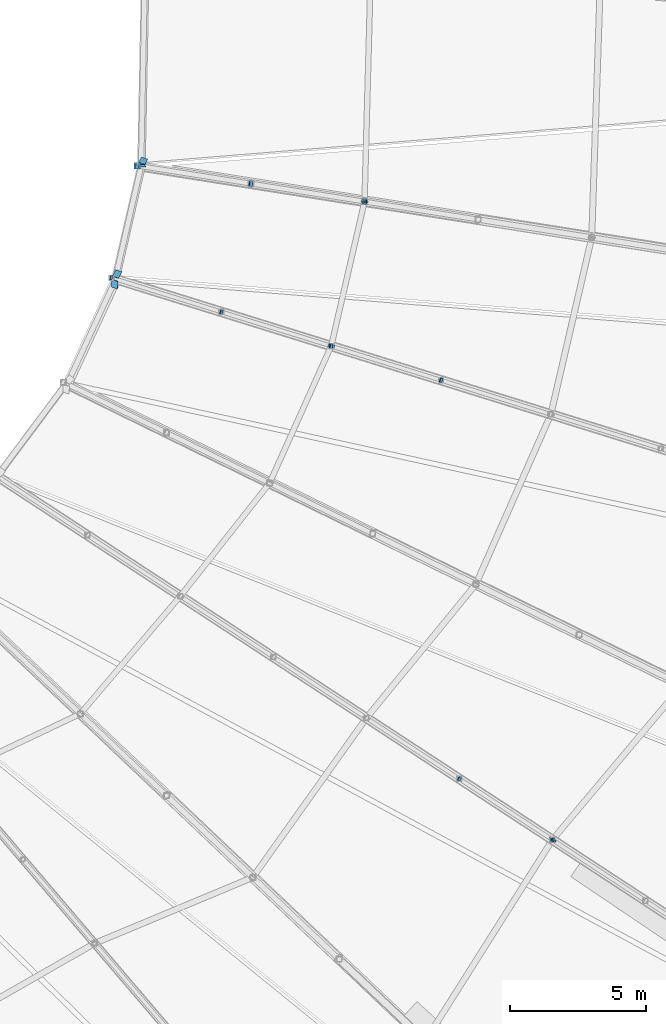
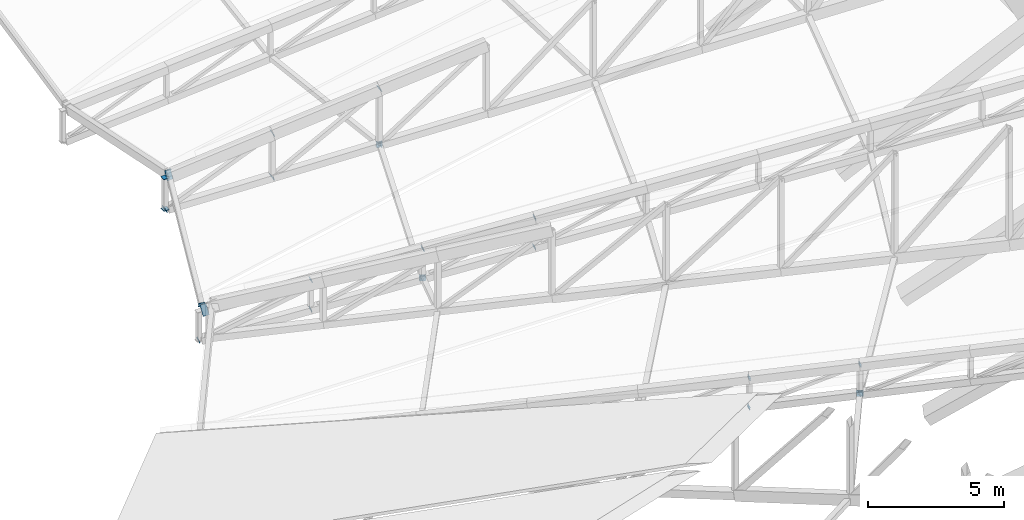
# One storey, part 299 of 344: 28 discrete accessories.
"""IFC4 building model written with IfcOpenShell, lengths in metres."""

import ifcopenshell
import ifcopenshell.guid

model = None  # the IFC model being written
_history = None  # IfcOwnerHistory: only IFC2X3 demands one
_inside = {}  # id of a spatial element -> (the spatial element, [elements in it])
_under = {}  # id of a project, library or spatial element -> (it, [spatial elements below it])
_declared = {}  # id of a project -> (the project, [libraries it declares])
_typed = {}  # id of a type object -> (the type object, [elements of that type])
_made_of = {}  # id of a material, layer set ... -> (it, [elements and type objects made of it])


def new_model(schema):
    """Start an empty IFC model of exactly this schema.

    Asked for "IFC4X3", IfcOpenShell would pick the latest addendum, in which some entities
    have other attributes; the version numbers below select the first issue.
    IFC2X3 requires an IfcOwnerHistory on every rooted entity: one is made here for all.
    """
    global model, _history
    if schema == "IFC4X3":
        model = ifcopenshell.file(schema_version=(4, 3, 0, 0))
    else:
        model = ifcopenshell.file(schema=schema)
    _inside.clear()
    _under.clear()
    _declared.clear()
    _typed.clear()
    _made_of.clear()
    _history = None
    if model.schema == "IFC2X3":
        org = make("IfcOrganization", Name="unknown")
        user = make(
            "IfcPersonAndOrganization",
            ThePerson=make("IfcPerson", FamilyName="unknown"),
            TheOrganization=org,
        )
        app = make(
            "IfcApplication",
            ApplicationDeveloper=org,
            Version="unknown",
            ApplicationFullName="unknown",
            ApplicationIdentifier="unknown",
        )
        _history = make(
            "IfcOwnerHistory",
            OwningUser=user,
            OwningApplication=app,
            ChangeAction="ADDED",
            CreationDate=0,
        )
    return model


def make(cls, **values):
    """One entity of the class cls with the attributes given. An attribute that is None is left unset."""
    return model.create_entity(
        cls, **{name: value for name, value in values.items() if value is not None}
    )


def rooted(cls, **values):
    """An entity with a GlobalId (a new one), such as an element, a storey or a relation."""
    return make(cls, GlobalId=ifcopenshell.guid.new(), OwnerHistory=_history, **values)


def si_unit(unit_type, name, prefix=None):
    """IfcSIUnit, for example si_unit("LENGTHUNIT", "METRE", prefix="MILLI")."""
    return make("IfcSIUnit", UnitType=unit_type, Prefix=prefix, Name=name)


def assignment(units):
    """IfcUnitAssignment: the units of a project."""
    return None if units is None else make("IfcUnitAssignment", Units=units)


def point(xyz):
    """IfcCartesianPoint."""
    return None if xyz is None else make("IfcCartesianPoint", Coordinates=xyz)


def direction(xyz):
    """IfcDirection."""
    return None if xyz is None else make("IfcDirection", DirectionRatios=xyz)


def frame(location, z_axis=None, x_axis=None):
    """IfcAxis2Placement3D, a coordinate frame: its origin and axes. An axis left out is left unset."""
    return make(
        "IfcAxis2Placement3D",
        Location=point(location),
        Axis=direction(z_axis),
        RefDirection=direction(x_axis),
    )


def frame_2d(location, x_axis=None):
    """IfcAxis2Placement2D, a coordinate frame in the plane: its origin and x axis."""
    return make(
        "IfcAxis2Placement2D", Location=point(location), RefDirection=direction(x_axis)
    )


def origin():
    """The frame at (0, 0, 0) with its axes left unset."""
    return frame((0.0, 0.0, 0.0))


def origin_2d():
    """The frame at (0, 0) in the plane with its x axis left unset."""
    return frame_2d((0.0, 0.0))


def place(relative_to, where):
    """IfcLocalPlacement: puts the frame where relative to a parent placement (None: the world)."""
    return make(
        "IfcLocalPlacement", PlacementRelTo=relative_to, RelativePlacement=where
    )


def context(
    kind, dimensions, precision=None, world=None, true_north=None, identifier=None
):
    """IfcGeometricRepresentationContext, for example the 3D "Model" context."""
    return make(
        "IfcGeometricRepresentationContext",
        ContextIdentifier=identifier,
        ContextType=kind,
        CoordinateSpaceDimension=dimensions,
        Precision=precision,
        WorldCoordinateSystem=world,
        TrueNorth=true_north,
    )


def subcontext(parent, identifier, kind, view, scale=None):
    """IfcGeometricRepresentationSubContext, for example "Body" below "Model"."""
    return make(
        "IfcGeometricRepresentationSubContext",
        ContextIdentifier=identifier,
        ContextType=kind,
        ParentContext=parent,
        TargetScale=scale,
        TargetView=view,
    )


def project(units=None, contexts=None):
    """IfcProject with its units and contexts."""
    return rooted(
        "IfcProject",
        Name="project",
        RepresentationContexts=contexts,
        UnitsInContext=assignment(units),
    )


def spatial(cls, under=None, at=None, **own):
    """A site, building, storey or space (cls), placed at a placement, below another one or the project."""
    s = rooted(cls, ObjectPlacement=at, **own)
    if under is not None:
        _under.setdefault(under.id(), (under, []))[1].append(s)
    return s


def profile(cls, at=None, kind="AREA", **sizes):
    """A parametric profile (cls). Its sizes go by their IFC names, for example OverallWidth=200.0."""
    return make(cls, ProfileType=kind, Position=at, **sizes)


def rectangle(**sizes):
    """IfcRectangleProfileDef."""
    return profile("IfcRectangleProfileDef", **sizes)


def extrude(swept, where, along, depth):
    """IfcExtrudedAreaSolid: the profile swept, set in the frame where, extruded along a direction by depth."""
    return make(
        "IfcExtrudedAreaSolid",
        SweptArea=swept,
        Position=where,
        ExtrudedDirection=direction(along),
        Depth=depth,
    )


def shape(context_of_items, identifier, shape_type, items):
    """IfcShapeRepresentation: the items that make up one representation, for example the "Body"."""
    return make(
        "IfcShapeRepresentation",
        ContextOfItems=context_of_items,
        RepresentationIdentifier=identifier,
        RepresentationType=shape_type,
        Items=items,
    )


def material(Name=None, Category=None):
    """IfcMaterial."""
    return make("IfcMaterial", Name=Name, Category=Category)


def material_profile(
    of_material, cross_section, Name=None, Category=None, Priority=None
):
    """IfcMaterialProfile: a cross section and its material."""
    return make(
        "IfcMaterialProfile",
        Name=Name,
        Material=of_material,
        Profile=cross_section,
        Priority=Priority,
        Category=Category,
    )


def profile_set(profiles, Name=None, composite=None):
    """IfcMaterialProfileSet."""
    return make(
        "IfcMaterialProfileSet",
        Name=Name,
        MaterialProfiles=profiles,
        CompositeProfile=composite,
    )


def made_of(thing, what):
    """Note that an element or type object is made of a material, layer set ...; save() writes the relation."""
    if what is not None:
        _made_of.setdefault(what.id(), (what, []))[1].append(thing)
    return thing


def type_object(cls, material=None, **own):
    """A type object (cls), such as IfcWallType, which elements share."""
    return made_of(rooted(cls, **own), material)


def element(
    cls,
    number,
    at=None,
    inside=None,
    cuts=None,
    type_object=None,
    material=None,
    context=None,
    identifier="Body",
    shape_type=None,
    held_by="IfcProductDefinitionShape",
    body=None,
    shapes=None,
    **own,
):
    """One element of the class cls, such as IfcWall. Its Tag is "e" and its number.

    at: its placement. inside: the storey or other place that contains it. cuts: it is an
    opening in that element (IfcRelVoidsElement). A single representation is given by context,
    identifier, shape_type and body (its items); several are given by shapes. held_by: the class
    of the entity that holds the representations. save() writes the other relations.
    """
    e = rooted(cls, Tag="e%d" % number, ObjectPlacement=at, **own)
    if body is not None:
        shapes = [shape(context, identifier, shape_type, body)]
    if shapes is not None:
        e.Representation = make(held_by, Representations=shapes)
    if inside is not None:
        _inside.setdefault(inside.id(), (inside, []))[1].append(e)
    if cuts is not None:
        rooted(
            "IfcRelVoidsElement", RelatingBuildingElement=cuts, RelatedOpeningElement=e
        )
    if type_object is not None:
        _typed.setdefault(type_object.id(), (type_object, []))[1].append(e)
    return made_of(e, material)


def aggregate(whole, parts):
    """IfcRelAggregates: a whole, such as a stair, and the parts it consists of."""
    return rooted("IfcRelAggregates", RelatingObject=whole, RelatedObjects=parts)


def save(model, path):
    """Write the relations noted so far, then the file.

    IfcRelAggregates (storeys below a building ...), IfcRelContainedInSpatialStructure (elements
    in a storey), IfcRelDefinesByType, IfcRelAssociatesMaterial and IfcRelDeclares: one each for
    every whole, place, type object, material and project.
    """
    for whole, parts in _under.values():
        aggregate(whole, parts)
    for where, things in _inside.values():
        rooted(
            "IfcRelContainedInSpatialStructure",
            RelatedElements=things,
            RelatingStructure=where,
        )
    for kind, things in _typed.values():
        rooted("IfcRelDefinesByType", RelatedObjects=things, RelatingType=kind)
    for what, things in _made_of.values():
        rooted("IfcRelAssociatesMaterial", RelatedObjects=things, RelatingMaterial=what)
    for by, libraries in _declared.values():
        rooted("IfcRelDeclares", RelatingContext=by, RelatedDefinitions=libraries)
    model.write(path)


model = new_model("IFC4")

# Units and contexts
model_context = context("Model", 3, precision=1e-05, world=origin(), true_north=direction((0.0, 1.0)))
body_context = subcontext(model_context, "Body", "Model", "MODEL_VIEW")
ifc_project = project(units=[si_unit("LENGTHUNIT", "METRE"), si_unit("AREAUNIT", "SQUARE_METRE"), si_unit("VOLUMEUNIT", "CUBIC_METRE"), si_unit("PLANEANGLEUNIT", "RADIAN"), si_unit("MASSUNIT", "GRAM", prefix="KILO")], contexts=[model_context])

# Site, building, storey
site_placement = place(None, origin())
site = spatial("IfcSite", under=ifc_project, at=site_placement, CompositionType="ELEMENT")
building_placement = place(site_placement, origin())
building = spatial("IfcBuilding", under=site, at=building_placement, Name="Meseta Stadium", CompositionType="ELEMENT")
storey_placement = place(building_placement, frame((0.0, 0.0, 24.0)))
storey = spatial("IfcBuildingStorey", under=building, at=storey_placement, Name="L04", CompositionType="ELEMENT", Elevation=24.0)

# Discrete accessories
ifc_material_1 = material(Name="Steel S355", Category="steel")
ifc_material_profile_1 = material_profile(ifc_material_1, rectangle(XDim=0.179931640625, YDim=0.179931640625, at=origin_2d()), Name="PL 180x180")
ifc_profile_set_1 = profile_set([ifc_material_profile_1], Name="Steel S355")
discrete_accessory_type_1 = type_object("IfcDiscreteAccessoryType", Name="End plate 180x180x20", PredefinedType="ANCHORPLATE", material=ifc_profile_set_1)
for number, where, z_axis, x_axis, name in (
    (1, (58.653076171875, -70.1455078125, 4.7646484375), (0.745790378384, -0.489042871072, 0.452364655741), (0.54835696222, 0.836244367386, 0.0), "End plate of ROOF TRUSS RT-53 diagonal"),
    (2, (58.63818359375, -70.1357421875, 3.45556640625), (0.745790378384, -0.489042871072, 0.452364655741), (0.54835696222, 0.836244367386, 0.0), "End plate of ROOF TRUSS RT-53 diagonal"),
    (3, (62.06787109375, -72.3818359375, 5.523681640625), (0.745790378384, -0.489042871072, 0.452364655741), (0.54835696222, 0.836244367386, 0.0), "End plate of ROOF TRUSS RT-53 diagonal"),
):
    element("IfcDiscreteAccessory", number, at=place(storey_placement, frame(where, z_axis=z_axis, x_axis=x_axis)), inside=storey, type_object=discrete_accessory_type_1, Name=name, PredefinedType="ANCHORPLATE", context=body_context, shape_type="SweptSolid", body=[
        extrude(rectangle(XDim=0.179931640625, YDim=0.179931640625, at=origin_2d()), origin(), (0.0, 0.0, 1.0), 0.02001953125),
    ])
discrete_accessory_1_placement = place(storey_placement, frame((62.052978515625, -72.3720703125, 4.21484375), z_axis=(0.749892944856, -0.491733078594, 0.442559770734), x_axis=(0.54835696222, 0.836244367386, 0.0)))
element("IfcDiscreteAccessory", 4, at=discrete_accessory_1_placement, inside=storey, type_object=discrete_accessory_type_1, Name="End plate of ROOF TRUSS RT-53 diagonal", PredefinedType="ANCHORPLATE", context=body_context, shape_type="SweptSolid", body=[
    extrude(rectangle(XDim=0.179931640625, YDim=0.179931640625, at=origin_2d()), origin(), (0.0, 0.0, 1.0), 0.019775390625),
])
discrete_accessory_2_placement = place(storey_placement, frame((45.8662109375, -51.743896484375, -0.230224609375), z_axis=(0.859675052741, -0.266378185356, 0.435891576038), x_axis=(0.295976029358, 0.955195367475, 0.0)))
element("IfcDiscreteAccessory", 5, at=discrete_accessory_2_placement, inside=storey, type_object=discrete_accessory_type_1, Name="End plate of ROOF TRUSS RT-55 diagonal", PredefinedType="ANCHORPLATE", context=body_context, shape_type="SweptSolid", body=[
    extrude(rectangle(XDim=0.179931640625, YDim=0.179931640625, at=origin_2d()), origin(), (0.0, 0.0, 1.0), 0.020263671875),
])
discrete_accessory_3_placement = place(storey_placement, frame((49.915283203125, -53.003173828125, 1.824951171875), z_axis=(0.859235340228, -0.257770602068, 0.441892460688), x_axis=(0.287347885566, 0.957826285221, 0.0)))
element("IfcDiscreteAccessory", 6, at=discrete_accessory_3_placement, inside=storey, type_object=discrete_accessory_type_1, Name="End plate of ROOF TRUSS RT-55 diagonal", PredefinedType="ANCHORPLATE", context=body_context, shape_type="SweptSolid", body=[
    extrude(rectangle(XDim=0.179931640625, YDim=0.179931640625, at=origin_2d()), origin(), (0.0, 0.0, 1.0), 0.019775390625),
])
discrete_accessory_4_placement = place(storey_placement, frame((49.89794921875, -52.997802734375, 0.51611328125), z_axis=(0.859675052741, -0.266378185356, 0.435891576038), x_axis=(0.295976029358, 0.955195367475, 0.0)))
element("IfcDiscreteAccessory", 7, at=discrete_accessory_4_placement, inside=storey, type_object=discrete_accessory_type_1, Name="End plate of ROOF TRUSS RT-55 diagonal", PredefinedType="ANCHORPLATE", context=body_context, shape_type="SweptSolid", body=[
    extrude(rectangle(XDim=0.179931640625, YDim=0.179931640625, at=origin_2d()), origin(), (0.0, 0.0, 1.0), 0.020263671875),
])
discrete_accessory_5_placement = place(storey_placement, frame((53.947021484375, -54.2568359375, 2.5712890625), z_axis=(0.856465372407, -0.269174831328, 0.440467905809), x_axis=(0.29982659674, 0.953993716901, 0.0)))
element("IfcDiscreteAccessory", 8, at=discrete_accessory_5_placement, inside=storey, type_object=discrete_accessory_type_1, Name="End plate of ROOF TRUSS RT-55 diagonal", PredefinedType="ANCHORPLATE", context=body_context, shape_type="SweptSolid", body=[
    extrude(rectangle(XDim=0.179931640625, YDim=0.179931640625, at=origin_2d()), origin(), (0.0, 0.0, 1.0), 0.02001953125),
])
discrete_accessory_6_placement = place(storey_placement, frame((53.9296875, -54.25146484375, 1.262451171875), z_axis=(0.859675052741, -0.266378185356, 0.435891576038), x_axis=(0.295976029358, 0.955195367475, 0.0)))
element("IfcDiscreteAccessory", 9, at=discrete_accessory_6_placement, inside=storey, type_object=discrete_accessory_type_1, Name="End plate of ROOF TRUSS RT-55 diagonal", PredefinedType="ANCHORPLATE", context=body_context, shape_type="SweptSolid", body=[
    extrude(rectangle(XDim=0.179931640625, YDim=0.179931640625, at=origin_2d()), origin(), (0.0, 0.0, 1.0), 0.020263671875),
])
discrete_accessory_7_placement = place(storey_placement, frame((57.978759765625, -55.5107421875, 3.317626953125), z_axis=(0.856465372407, -0.269174831328, 0.440467905809), x_axis=(0.29982659674, 0.953993716901, 0.0)))
element("IfcDiscreteAccessory", 10, at=discrete_accessory_7_placement, inside=storey, type_object=discrete_accessory_type_1, Name="End plate of ROOF TRUSS RT-55 diagonal", PredefinedType="ANCHORPLATE", context=body_context, shape_type="SweptSolid", body=[
    extrude(rectangle(XDim=0.179931640625, YDim=0.179931640625, at=origin_2d()), origin(), (0.0, 0.0, 1.0), 0.02001953125),
])
discrete_accessory_8_placement = place(storey_placement, frame((57.96142578125, -55.50537109375, 2.0087890625), z_axis=(0.859675052741, -0.266378185356, 0.435891576038), x_axis=(0.295976029358, 0.955195367475, 0.0)))
element("IfcDiscreteAccessory", 11, at=discrete_accessory_8_placement, inside=storey, type_object=discrete_accessory_type_1, Name="End plate of ROOF TRUSS RT-55 diagonal", PredefinedType="ANCHORPLATE", context=body_context, shape_type="SweptSolid", body=[
    extrude(rectangle(XDim=0.179931640625, YDim=0.179931640625, at=origin_2d()), origin(), (0.0, 0.0, 1.0), 0.020263671875),
])
ifc_material_2 = material(Name="Steel S355", Category="steel")
ifc_material_profile_2 = material_profile(ifc_material_2, rectangle(XDim=0.219970703125, YDim=0.219970703125, at=origin_2d()), Name="PL 220x220")
ifc_profile_set_2 = profile_set([ifc_material_profile_2], Name="Steel S355")
discrete_accessory_type_2 = type_object("IfcDiscreteAccessoryType", Name="End plate 220x220x20", PredefinedType="ANCHORPLATE", material=ifc_profile_set_2)
for number, where, z_axis, x_axis, name in (
    (12, (46.81201171875, -47.630859375, 2.835693359375), (0.863417338341, -0.133768883405, 0.486432303291), (0.153102994509, 0.988210237284, 0.0), "End plate of ROOF TRUSS RT-00 diagonal"),
    (13, (50.999755859375, -48.292724609375, 5.18310546875), (0.868505590194, -0.134557204114, 0.477066450951), (0.153102994509, 0.988210237284, 0.0), "End plate of ROOF TRUSS RT-00 diagonal"),
    (14, (50.9833984375, -48.2900390625, 3.2236328125), (0.816951681894, -0.134126395535, 0.56089219951), (0.162010149383, 0.986789091699, 0.0), "End plate of ROOF TRUSS RT-00 diagonal"),
    (15, (55.170166015625, -48.95166015625, 6.12060546875), (0.816951681894, -0.134126395535, 0.56089219951), (0.162010149383, 0.986789091699, 0.0), "End plate of ROOF TRUSS RT-00 diagonal"),
    (16, (55.155029296875, -48.94921875, 3.611572265625), (0.760407136498, -0.122646312338, 0.63776082416), (0.159232438825, 0.987241120713, 0.0), "End plate of ROOF TRUSS RT-00 diagonal"),
):
    element("IfcDiscreteAccessory", number, at=place(storey_placement, frame(where, z_axis=z_axis, x_axis=x_axis)), inside=storey, type_object=discrete_accessory_type_2, Name=name, PredefinedType="ANCHORPLATE", context=body_context, shape_type="SweptSolid", body=[
        extrude(rectangle(XDim=0.219970703125, YDim=0.219970703125, at=origin_2d()), origin(), (0.0, 0.0, 1.0), 0.02001953125),
    ])
ifc_material_3 = material(Name="Steel S355", Category="steel")
ifc_material_profile_3 = material_profile(ifc_material_3, rectangle(XDim=0.239990234375, YDim=0.239990234375, at=origin_2d()), Name="PL 240x240")
ifc_profile_set_3 = profile_set([ifc_material_profile_3], Name="Steel S355")
discrete_accessory_type_3 = type_object("IfcDiscreteAccessoryType", Name="End plate 240x240x20", PredefinedType="ANCHORPLATE", material=ifc_profile_set_3)
for number, where, z_axis, x_axis, name in (
    (17, (46.829345703125, -47.633544921875, 2.825439453125), (0.0, 0.0, 1.0), (1.0, 0.0, 0.0), "End plate of ROOF TRUSS RT-00 post"),
    (18, (46.829345703125, -47.633544921875, 4.245361328125), (0.0, 0.0, 1.0), (1.0, 0.0, 0.0), "End plate of ROOF TRUSS RT-00 post"),
    (19, (55.169677734375, -48.971435546875, 3.627197265625), (0.024417494565, 0.98890852989, -0.146504967391), (-0.999695307732, 0.024683834759, 0.0), "End plate of ROOF TRUSS STRUT RT-00/01"),
):
    element("IfcDiscreteAccessory", number, at=place(storey_placement, frame(where, z_axis=z_axis, x_axis=x_axis)), inside=storey, type_object=discrete_accessory_type_3, Name=name, PredefinedType="ANCHORPLATE", context=body_context, shape_type="SweptSolid", body=[
        extrude(rectangle(XDim=0.239990234375, YDim=0.239990234375, at=origin_2d()), origin(), (0.0, 0.0, 1.0), 0.02001953125),
    ])
discrete_accessory_9_placement = place(storey_placement, frame((53.947021484375, -54.2568359375, 1.271240234375), z_axis=(0.368911329906, 0.836199014454, -0.405802462897), x_axis=(-0.914917801573, 0.403640206576, 0.0)))
element("IfcDiscreteAccessory", 20, at=discrete_accessory_9_placement, inside=storey, type_object=discrete_accessory_type_3, Name="End plate of ROOF TRUSS STRUT RT-54/55", PredefinedType="ANCHORPLATE", context=body_context, shape_type="SweptSolid", body=[
    extrude(rectangle(XDim=0.239990234375, YDim=0.239990234375, at=origin_2d()), origin(), (0.0, 0.0, 1.0), 0.019775390625),
])
discrete_accessory_10_placement = place(storey_placement, frame((53.94287109375, -54.27490234375, 1.263427734375), z_axis=(0.206322227095, 0.898108517943, 0.388371251002), x_axis=(-0.974612694662, 0.223897510936, 0.0)))
element("IfcDiscreteAccessory", 21, at=discrete_accessory_10_placement, inside=storey, type_object=discrete_accessory_type_3, Name="End plate of ROOF TRUSS STRUT RT-55/00", PredefinedType="ANCHORPLATE", context=body_context, shape_type="SweptSolid", body=[
    extrude(rectangle(XDim=0.239990234375, YDim=0.239990234375, at=origin_2d()), origin(), (0.0, 0.0, 1.0), 0.02001953125),
])
discrete_accessory_11_placement = place(storey_placement, frame((55.170166015625, -48.95166015625, 3.624267578125), z_axis=(0.208592882586, 0.895722378163, 0.392645426044), x_axis=(-0.973939528804, 0.226807835475, 0.0)))
element("IfcDiscreteAccessory", 22, at=discrete_accessory_11_placement, inside=storey, type_object=discrete_accessory_type_3, Name="End plate of ROOF TRUSS STRUT RT-55/00", PredefinedType="ANCHORPLATE", context=body_context, shape_type="SweptSolid", body=[
    extrude(rectangle(XDim=0.239990234375, YDim=0.239990234375, at=origin_2d()), origin(), (0.0, 0.0, 1.0), 0.019775390625),
])
ifc_material_4 = material(Name="Steel S355", Category="steel")
ifc_material_profile_4 = material_profile(ifc_material_4, rectangle(XDim=0.239990234375, YDim=0.43994140625, at=origin_2d()), Name="PL 240x440")
ifc_profile_set_4 = profile_set([ifc_material_profile_4], Name="Steel S355")
discrete_accessory_type_4 = type_object("IfcDiscreteAccessoryType", Name="End plate 240x440x20", PredefinedType="ANCHORPLATE", material=ifc_profile_set_4)
for number, where, z_axis, x_axis, name in (
    (23, (46.994140625, -47.63671875, 4.315673828125), (0.024382992455, 0.975319698188, -0.219446932092), (-0.991725841665, -0.004076412586, -0.128309149457), "End plate of TIP RING BEAM 01"),
    (24, (45.99951171875, -51.989501953125, 1.230712890625), (0.329121483598, 0.731381074662, -0.597294544308), (-0.943390783969, 0.282233927407, -0.174235010668), "End plate of TIP RING BEAM 55"),
    (25, (46.083740234375, -51.6240234375, 1.210693359375), (0.1829540404, 0.780603905705, 0.597649865305), (-0.945899422708, 0.305458386998, -0.10940500872), "End plate of TIP RING BEAM 56"),
    (26, (47.033203125, -47.49365234375, 4.345947265625), (0.1829540404, 0.780603905705, 0.597649865305), (-0.945899422708, 0.305458386998, -0.10940500872), "End plate of TIP RING BEAM 56"),
):
    element("IfcDiscreteAccessory", number, at=place(storey_placement, frame(where, z_axis=z_axis, x_axis=x_axis)), inside=storey, type_object=discrete_accessory_type_4, Name=name, PredefinedType="ANCHORPLATE", context=body_context, shape_type="SweptSolid", body=[
        extrude(rectangle(XDim=0.239990234375, YDim=0.43994140625, at=origin_2d()), origin(), (0.0, 0.0, 1.0), 0.02001953125),
    ])
ifc_material_5 = material(Name="Steel S355", Category="steel")
ifc_material_profile_5 = material_profile(ifc_material_5, rectangle(XDim=0.260009765625, YDim=0.260009765625, at=origin_2d()), Name="PL 260x260")
ifc_profile_set_5 = profile_set([ifc_material_profile_5], Name="Steel S355")
discrete_accessory_type_5 = type_object("IfcDiscreteAccessoryType", Name="End plate 260x260x20", PredefinedType="ANCHORPLATE", material=ifc_profile_set_5)
discrete_accessory_12_placement = place(storey_placement, frame((62.06787109375, -72.3818359375, 4.2236328125), z_axis=(0.527617291246, 0.834371530343, -0.15951220433), x_axis=(-0.845193423646, 0.534460547305, 0.0)))
element("IfcDiscreteAccessory", 27, at=discrete_accessory_12_placement, inside=storey, type_object=discrete_accessory_type_5, Name="End plate of ROOF TRUSS STRUT RT-52/53", PredefinedType="ANCHORPLATE", context=body_context, shape_type="SweptSolid", body=[
    extrude(rectangle(XDim=0.260009765625, YDim=0.260009765625, at=origin_2d()), origin(), (0.0, 0.0, 1.0), 0.019775390625),
])
discrete_accessory_13_placement = place(storey_placement, frame((62.05517578125, -72.39697265625, 4.220947265625), z_axis=(0.636755910588, 0.759208970316, 0.134698365701), x_axis=(-0.766191543126, 0.642612261976, 0.0)))
element("IfcDiscreteAccessory", 28, at=discrete_accessory_13_placement, inside=storey, type_object=discrete_accessory_type_5, Name="End plate of ROOF TRUSS STRUT RT-53/54", PredefinedType="ANCHORPLATE", context=body_context, shape_type="SweptSolid", body=[
    extrude(rectangle(XDim=0.260009765625, YDim=0.260009765625, at=origin_2d()), origin(), (0.0, 0.0, 1.0), 0.02001953125),
])

save(model, "model.ifc")
